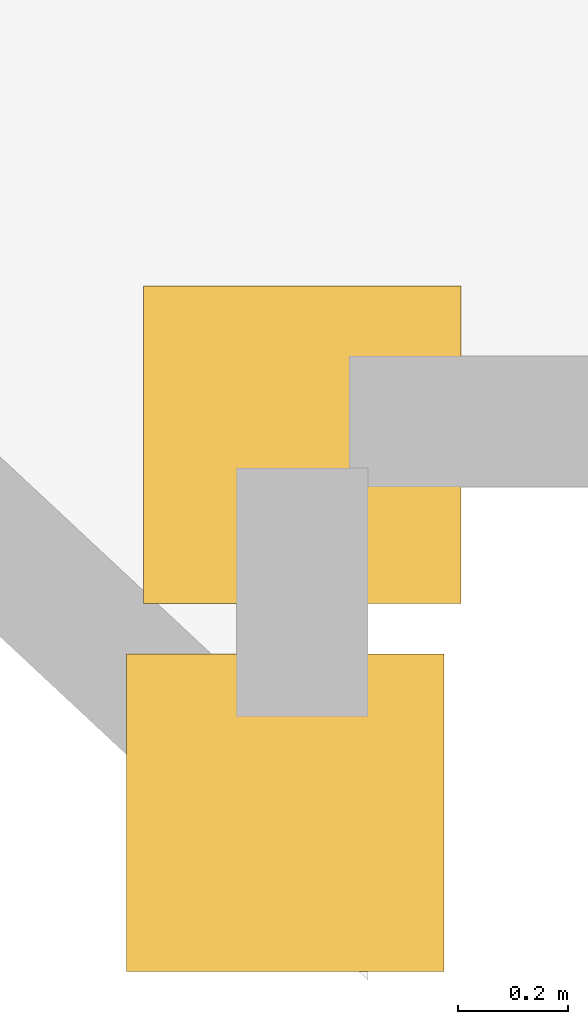
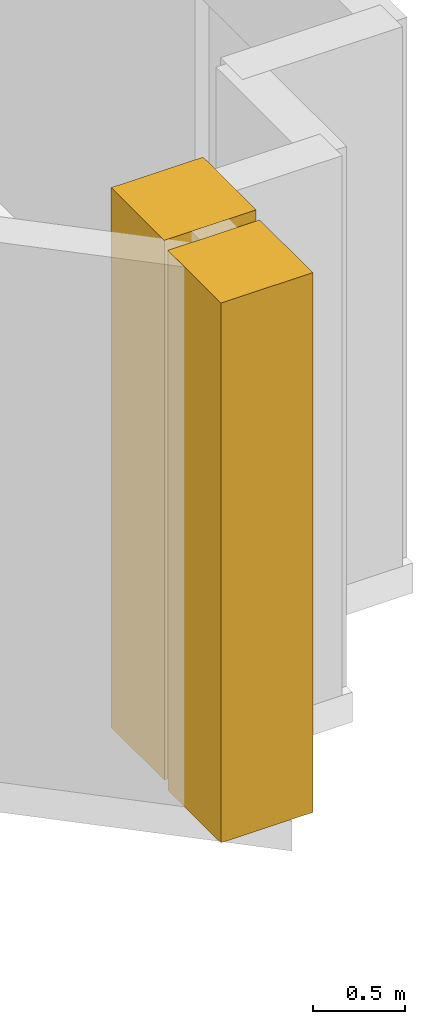
# One storey, part 16 of 16: 2 coverings.
"""IFC4 building model written with IfcOpenShell, lengths in metres."""

from ifc_helpers import new_model, si_unit, direction, frame, origin, origin_2d, place, context, subcontext, project, spatial, rectangle, extrude, material, layer, layer_set, type_object, element, save


model = new_model("IFC4")

# Units and contexts
model_context = context("Model", 3, precision=1e-05, world=origin(), true_north=direction((0.0, 1.0)))
body_context = subcontext(model_context, "Body", "Model", "MODEL_VIEW")
ifc_project = project(units=[si_unit("LENGTHUNIT", "METRE"), si_unit("AREAUNIT", "SQUARE_METRE"), si_unit("VOLUMEUNIT", "CUBIC_METRE"), si_unit("PLANEANGLEUNIT", "RADIAN"), si_unit("MASSUNIT", "GRAM", prefix="KILO")], contexts=[model_context])

# Site, building, storey
site_placement = place(None, origin())
site = spatial("IfcSite", under=ifc_project, at=site_placement, CompositionType="ELEMENT")
building_placement = place(site_placement, origin())
building = spatial("IfcBuilding", under=site, at=building_placement, Name="Haolan Belvedere Tower", CompositionType="ELEMENT")
storey_placement = place(building_placement, frame((0.0, 0.0, 74.199951171875)))
storey = spatial("IfcBuildingStorey", under=building, at=storey_placement, Name="L18", CompositionType="ELEMENT", Elevation=74.199951171875)

# Coverings
ifc_material = material(Name="Pale champagne-silver anodised aluminium rainscreen cladding", Category="aluminium")
ifc_layer = layer(ifc_material, 0.034912109375, Name="Pale champagne-silver anodised aluminium rainscreen cladding")
ifc_layer_set = layer_set([ifc_layer], Name="Pale champagne-silver anodised aluminium rainscreen cladding")
covering_type = type_object("IfcCoveringType", Name="COV-CLAD-35", PredefinedType="CLADDING", material=ifc_layer_set)
for number, where, z_axis, x_axis, name in (
    (1, (73.64892578125, 6.30517578125, 0.0), (0.0, 0.0, 1.0), (1.0, 0.0, 0.0), "L18 pale-metal serrated corner cladding trim 5"),
    (2, (73.679931640625, 6.9775390625, 0.0), (0.0, 0.0, 1.0), (1.0, 0.0, 0.0), "L18 pale-metal serrated corner cladding trim 6"),
):
    element("IfcCovering", number, at=place(storey_placement, frame(where, z_axis=z_axis, x_axis=x_axis)), inside=storey, type_object=covering_type, Name=name, PredefinedType="CLADDING", context=body_context, shape_type="SweptSolid", body=[
        extrude(rectangle(XDim=0.580078125, YDim=0.580078125, at=origin_2d()), origin(), (0.0, 0.0, 1.0), 3.60009765625),
    ])

save(model, "model.ifc")
